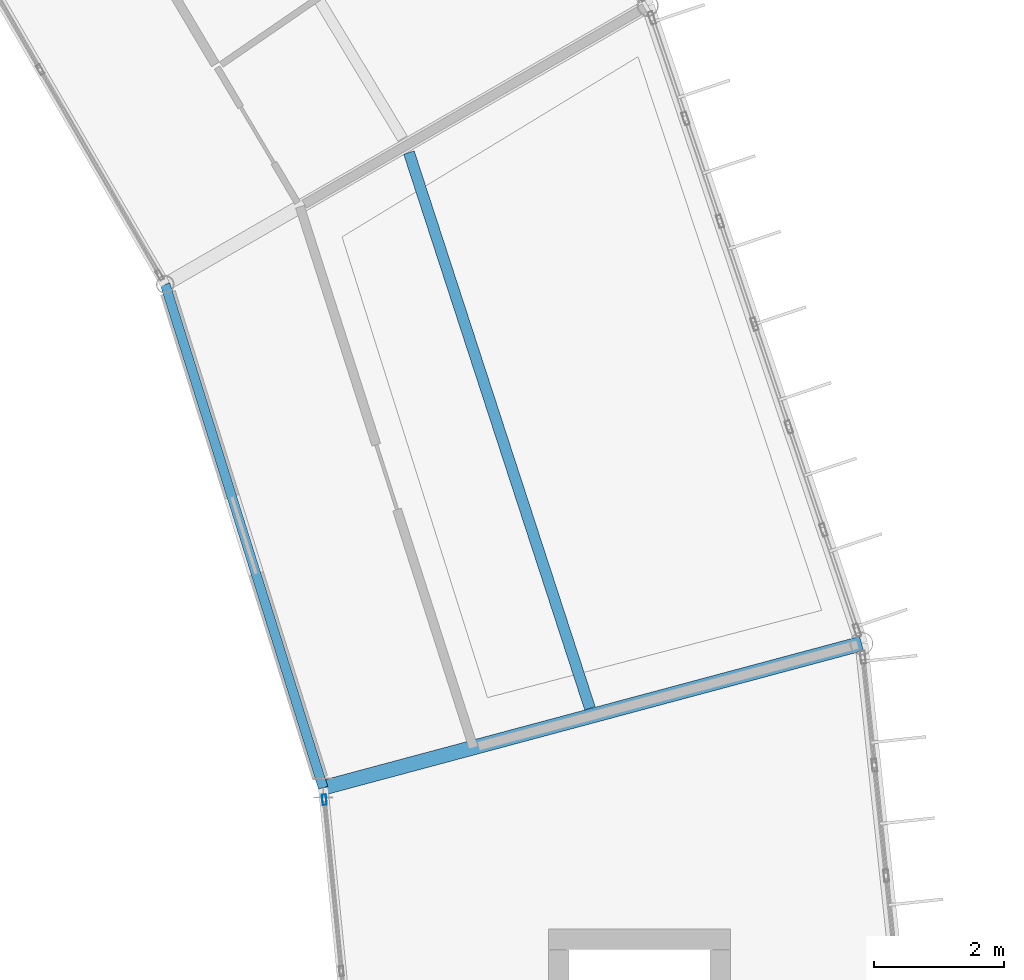
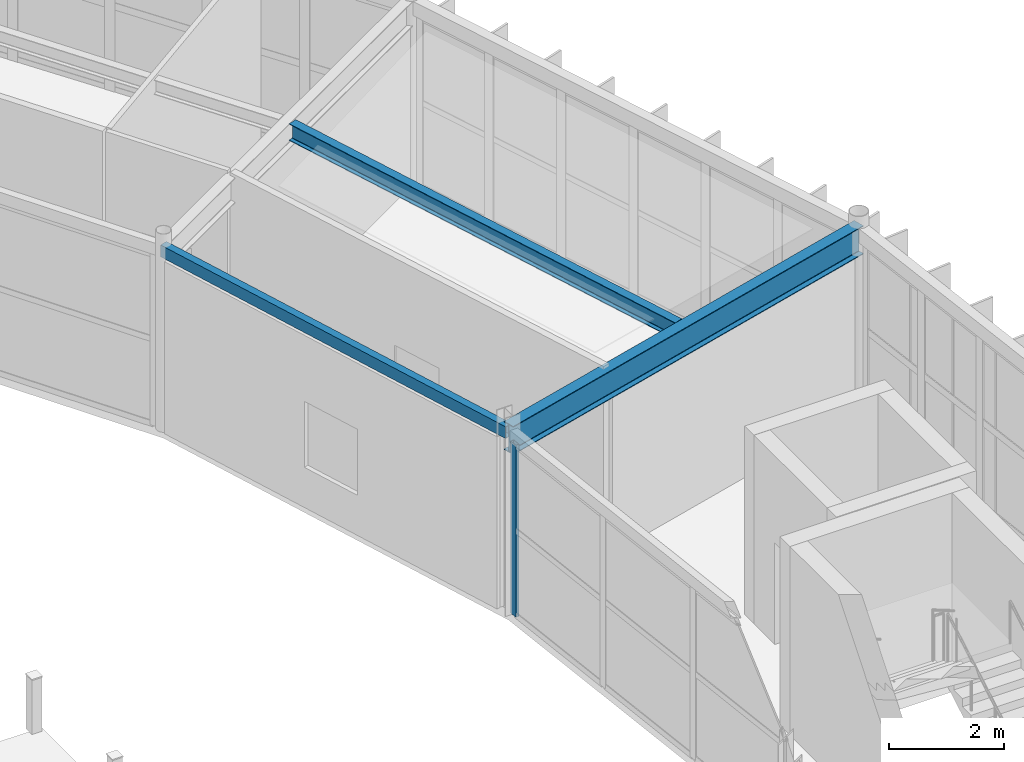
# One storey, part 64 of 147: 3 beams, 1 member, 1 element without a shape of its own.
"""IFC4 building model written with IfcOpenShell, lengths in metres."""

from ifc_helpers import new_model, si_unit, direction, frame, origin, origin_2d, place, context, subcontext, project, spatial, hollow_rectangle, i_section, extrude, material, material_profile, profile_set, type_object, element, aggregate, save


model = new_model("IFC4")

# Units and contexts
model_context = context("Model", 3, precision=1e-05, world=origin(), true_north=direction((0.0, 1.0)))
body_context = subcontext(model_context, "Body", "Model", "MODEL_VIEW")
ifc_project = project(units=[si_unit("LENGTHUNIT", "METRE"), si_unit("AREAUNIT", "SQUARE_METRE"), si_unit("VOLUMEUNIT", "CUBIC_METRE"), si_unit("PLANEANGLEUNIT", "RADIAN"), si_unit("MASSUNIT", "GRAM", prefix="KILO")], contexts=[model_context])

# Site, building, storey
site_placement = place(None, origin())
site = spatial("IfcSite", under=ifc_project, at=site_placement, CompositionType="ELEMENT")
building_placement = place(site_placement, origin())
building = spatial("IfcBuilding", under=site, at=building_placement, Name="Karori Crest Natural Sciences Institute", CompositionType="ELEMENT")
storey_placement = place(building_placement, frame((0.0, 0.0, 9.10009765625)))
storey = spatial("IfcBuildingStorey", under=building, at=storey_placement, Name="L02", CompositionType="ELEMENT", Elevation=9.10009765625)

# Beams
ifc_material_1 = material(Name="Hollow structural steel AS/NZS 1163 Grade C350", Category="steel")
ifc_material_profile_1 = material_profile(ifc_material_1, hollow_rectangle(XDim=0.14990234375, YDim=0.25, WallThickness=0.009033203125, at=origin_2d()), Name="RHS250x150x9")
ifc_profile_set_1 = profile_set([ifc_material_profile_1], Name="Hollow structural steel AS/NZS 1163 Grade C350")
beam_type_1 = type_object("IfcBeamType", Name="BT-16", PredefinedType="SPANDREL", material=ifc_profile_set_1)
beam_1_placement = place(storey_placement, frame((89.968505859375, 58.23388671875, 3.789794921875), z_axis=(-0.299460006143, 0.954108853706, 0.0), x_axis=(-0.954108853706, -0.299460006143, 0.0)))
element("IfcBeam", 1, at=beam_1_placement, inside=storey, type_object=beam_type_1, Name="Beam B-0274", PredefinedType="SPANDREL", context=body_context, shape_type="SweptSolid", body=[
    extrude(hollow_rectangle(XDim=0.14990234375, YDim=0.25, WallThickness=0.009033203125, at=origin_2d()), origin(), (0.0, 0.0, 1.0), 8.1396484375),
])
ifc_material_2 = material(Name="Structural steel AS/NZS 3679.1 Grade 350", Category="steel")
ifc_material_profile_2 = material_profile(ifc_material_2, i_section(OverallWidth=0.22802734375, OverallDepth=0.60205078125, WebThickness=0.010498046875, FlangeThickness=0.014892578125, FilletRadius=0.013916015625, at=origin_2d()), Name="610UB101")
ifc_profile_set_2 = profile_set([ifc_material_profile_2], Name="Structural steel AS/NZS 3679.1 Grade 350")
beam_type_2 = type_object("IfcBeamType", Name="BT-27", PredefinedType="BEAM", material=ifc_profile_set_2)
beam_2_placement = place(storey_placement, frame((89.968505859375, 58.23388671875, 3.638916015625), z_axis=(0.96592752402, 0.258812709002, 0.0), x_axis=(-0.258812709002, 0.96592752402, 0.0)))
element("IfcBeam", 2, at=beam_2_placement, inside=storey, type_object=beam_type_2, Name="Beam B-0275", PredefinedType="BEAM", context=body_context, shape_type="SweptSolid", body=[
    extrude(i_section(OverallWidth=0.22802734375, OverallDepth=0.60205078125, WebThickness=0.010498046875, FlangeThickness=0.014892578125, FilletRadius=0.013916015625, at=origin_2d()), origin(), (0.0, 0.0, 1.0), 8.60009765625),
])
ifc_material_profile_3 = material_profile(ifc_material_2, i_section(OverallWidth=0.1708984375, OverallDepth=0.35595703125, WebThickness=0.00732421875, FlangeThickness=0.011474609375, FilletRadius=0.010986328125, at=origin_2d()), Name="360UB50.7")
ifc_profile_set_3 = profile_set([ifc_material_profile_3], Name="Structural steel AS/NZS 3679.1 Grade 350")
beam_type_3 = type_object("IfcBeamType", Name="BT-30", PredefinedType="BEAM", material=ifc_profile_set_3)
beam_3_placement = place(storey_placement, frame((94.0849609375, 59.4609375, 3.761962890625), z_axis=(-0.309698753032, 0.950834729262, 0.0), x_axis=(-0.950834729262, -0.309698753032, 0.0)))
element("IfcBeam", 3, at=beam_3_placement, inside=storey, type_object=beam_type_3, Name="Beam B-0276", PredefinedType="BEAM", context=body_context, shape_type="SweptSolid", body=[
    extrude(i_section(OverallWidth=0.1708984375, OverallDepth=0.35595703125, WebThickness=0.00732421875, FlangeThickness=0.011474609375, FilletRadius=0.010986328125, at=origin_2d()), origin(), (0.0, 0.0, 1.0), 9.018310546875),
])

# Curtain wall, member
ifc_material_3 = material(Name="Anodised architectural aluminium 6063-T6", Category="aluminium")
curtain_wall_type = type_object("IfcCurtainWallType", Name="CWT-11", PredefinedType="NOTDEFINED", material=ifc_material_3)
curtain_wall_placement = place(storey_placement, origin())
curtain_wall = element("IfcCurtainWall", 4, at=curtain_wall_placement, inside=storey, type_object=curtain_wall_type, Name="Curtain wall CW-0066", PredefinedType="NOTDEFINED")
ifc_material_profile_4 = material_profile(ifc_material_3, hollow_rectangle(XDim=0.06494140625, YDim=0.159912109375, WallThickness=0.00390625, at=origin_2d()), Name="CWM160x65x4")
ifc_profile_set_4 = profile_set([ifc_material_profile_4], Name="Anodised architectural aluminium 6063-T6")
member_type = type_object("IfcMemberType", Name="CWM-01", PredefinedType="MULLION", material=ifc_profile_set_4)
member_placement = place(storey_placement, frame((89.987060546875, 58.049560546875, 0.0), z_axis=(0.0, 0.0, 1.0), x_axis=(-0.995061096607, -0.099264364295, 0.0)))
member = element("IfcMember", 5, at=member_placement, type_object=member_type, Name="CW-0066 mullion 4", PredefinedType="MULLION", context=body_context, shape_type="SweptSolid", body=[
    extrude(hollow_rectangle(XDim=0.06494140625, YDim=0.159912109375, WallThickness=0.00390625, at=origin_2d()), origin(), (0.0, 0.0, 1.0), 3.64990234375),
])
aggregate(curtain_wall, [member])

save(model, "model.ifc")
